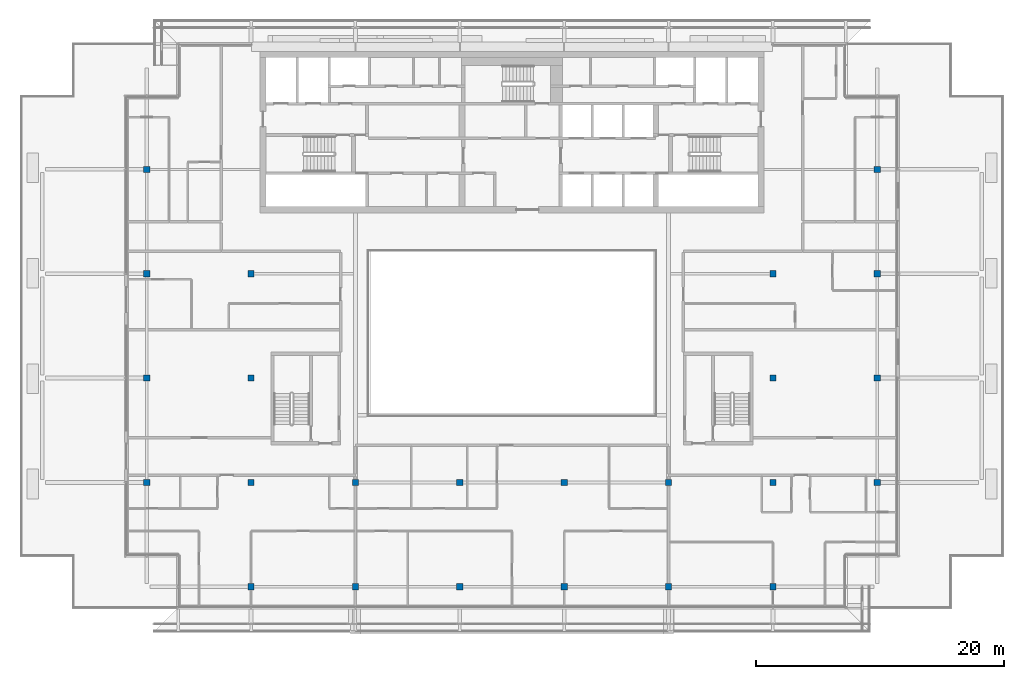
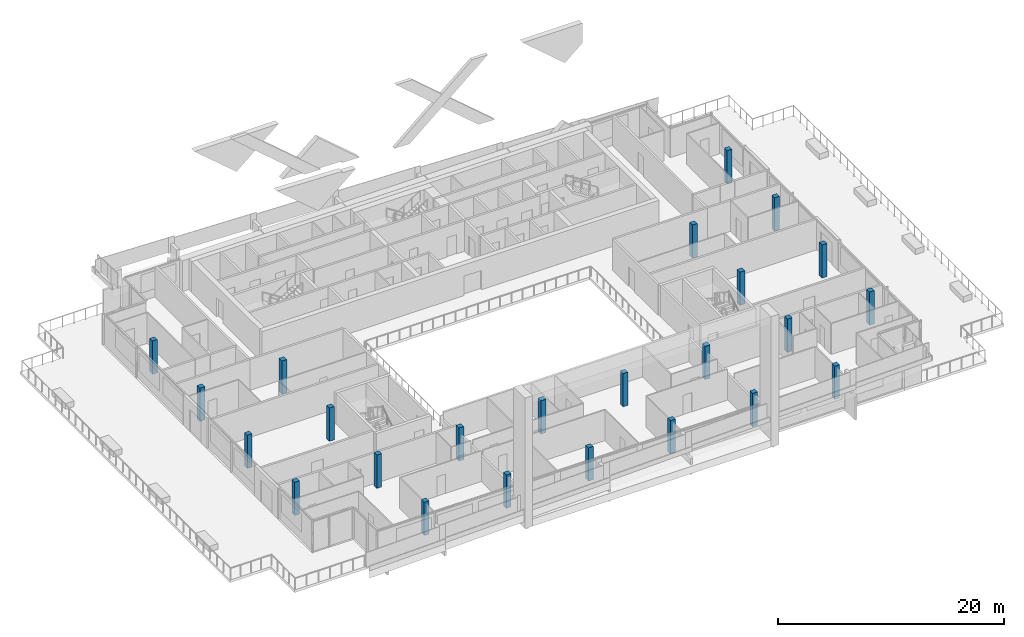
# One storey, part 1 of 29: 24 columns.
"""IFC4 building model written with IfcOpenShell, lengths in metres."""

from ifc_helpers import new_model, si_unit, direction, frame, origin, origin_2d, place, context, subcontext, project, spatial, rectangle, extrude, material, material_profile, profile_set, type_object, element, save


model = new_model("IFC4")

# Units and contexts
model_context = context("Model", 3, precision=1e-05, world=origin(), true_north=direction((0.0, 1.0)))
body_context = subcontext(model_context, "Body", "Model", "MODEL_VIEW")
ifc_project = project(units=[si_unit("LENGTHUNIT", "METRE"), si_unit("AREAUNIT", "SQUARE_METRE"), si_unit("VOLUMEUNIT", "CUBIC_METRE"), si_unit("PLANEANGLEUNIT", "RADIAN"), si_unit("MASSUNIT", "GRAM", prefix="KILO")], contexts=[model_context])

# Site, building, storey
site_placement = place(None, origin())
site = spatial("IfcSite", under=ifc_project, at=site_placement, CompositionType="ELEMENT")
building_placement = place(site_placement, origin())
building = spatial("IfcBuilding", under=site, at=building_placement, Name="Saffron Gate Tower", CompositionType="ELEMENT")
storey_placement = place(building_placement, frame((0.0, 0.0, 270.75)))
storey = spatial("IfcBuildingStorey", under=building, at=storey_placement, Name="L65", CompositionType="ELEMENT", Elevation=270.75)

# Columns
ifc_material = material(Name="Concrete C40", Category="concrete")
ifc_material_profile = material_profile(ifc_material, rectangle(XDim=0.5, YDim=0.5, at=origin_2d()))
ifc_profile_set = profile_set([ifc_material_profile], Name="Concrete C40")
column_type = type_object("IfcColumnType", Name="C1 RC 500x500 CONCRETE C40", PredefinedType="COLUMN", material=ifc_profile_set)
for number, where, z_axis, x_axis, name in (
    (1, (58.199951171875, 40.199951171875, 0.0), (0.0, 0.0, 1.0), (1.0, 0.0, 0.0), "C1 COLUMN X2-B"),
    (2, (58.199951171875, 48.60009765625, 0.0), (0.0, 0.0, 1.0), (1.0, 0.0, 0.0), "C1 COLUMN X2-C"),
    (3, (58.199951171875, 57.0, 0.0), (0.0, 0.0, 1.0), (1.0, 0.0, 0.0), "C1 COLUMN X2-D"),
    (4, (58.199951171875, 65.39990234375, 0.0), (0.0, 0.0, 1.0), (1.0, 0.0, 0.0), "C1 COLUMN X2-E"),
    (5, (66.60009765625, 31.800048828125, 0.0), (0.0, 0.0, 1.0), (1.0, 0.0, 0.0), "C1 COLUMN X3-A"),
    (6, (66.60009765625, 40.199951171875, 0.0), (0.0, 0.0, 1.0), (1.0, 0.0, 0.0), "C1 COLUMN X3-B"),
    (7, (66.60009765625, 48.60009765625, 0.0), (0.0, 0.0, 1.0), (1.0, 0.0, 0.0), "C1 COLUMN X3-C"),
    (8, (66.60009765625, 57.0, 0.0), (0.0, 0.0, 1.0), (1.0, 0.0, 0.0), "C1 COLUMN X3-D"),
    (9, (75.0, 31.800048828125, 0.0), (0.0, 0.0, 1.0), (1.0, 0.0, 0.0), "C1 COLUMN X4-A"),
    (10, (75.0, 40.199951171875, 0.0), (0.0, 0.0, 1.0), (1.0, 0.0, 0.0), "C1 COLUMN X4-B"),
    (11, (83.39990234375, 31.800048828125, 0.0), (0.0, 0.0, 1.0), (1.0, 0.0, 0.0), "C1 COLUMN X5-A"),
    (12, (83.39990234375, 40.199951171875, 0.0), (0.0, 0.0, 1.0), (1.0, 0.0, 0.0), "C1 COLUMN X5-B"),
    (13, (91.800048828125, 31.800048828125, 0.0), (0.0, 0.0, 1.0), (1.0, 0.0, 0.0), "C1 COLUMN X6-A"),
    (14, (91.800048828125, 40.199951171875, 0.0), (0.0, 0.0, 1.0), (1.0, 0.0, 0.0), "C1 COLUMN X6-B"),
    (15, (100.199951171875, 31.800048828125, 0.0), (0.0, 0.0, 1.0), (1.0, 0.0, 0.0), "C1 COLUMN X7-A"),
    (16, (100.199951171875, 40.199951171875, 0.0), (0.0, 0.0, 1.0), (1.0, 0.0, 0.0), "C1 COLUMN X7-B"),
    (17, (108.60009765625, 31.800048828125, 0.0), (0.0, 0.0, 1.0), (1.0, 0.0, 0.0), "C1 COLUMN X8-A"),
    (18, (108.60009765625, 40.199951171875, 0.0), (0.0, 0.0, 1.0), (1.0, 0.0, 0.0), "C1 COLUMN X8-B"),
    (19, (108.60009765625, 48.60009765625, 0.0), (0.0, 0.0, 1.0), (1.0, 0.0, 0.0), "C1 COLUMN X8-C"),
    (20, (108.60009765625, 57.0, 0.0), (0.0, 0.0, 1.0), (1.0, 0.0, 0.0), "C1 COLUMN X8-D"),
    (21, (117.0, 40.199951171875, 0.0), (0.0, 0.0, 1.0), (1.0, 0.0, 0.0), "C1 COLUMN X9-B"),
    (22, (117.0, 48.60009765625, 0.0), (0.0, 0.0, 1.0), (1.0, 0.0, 0.0), "C1 COLUMN X9-C"),
    (23, (117.0, 57.0, 0.0), (0.0, 0.0, 1.0), (1.0, 0.0, 0.0), "C1 COLUMN X9-D"),
    (24, (117.0, 65.39990234375, 0.0), (0.0, 0.0, 1.0), (1.0, 0.0, 0.0), "C1 COLUMN X9-E"),
):
    element("IfcColumn", number, at=place(storey_placement, frame(where, z_axis=z_axis, x_axis=x_axis)), inside=storey, type_object=column_type, Name=name, PredefinedType="COLUMN", context=body_context, shape_type="SweptSolid", body=[
        extrude(rectangle(XDim=0.5, YDim=0.5, at=origin_2d()), origin(), (0.0, 0.0, 1.0), 3.60009765625),
    ])

save(model, "model.ifc")
